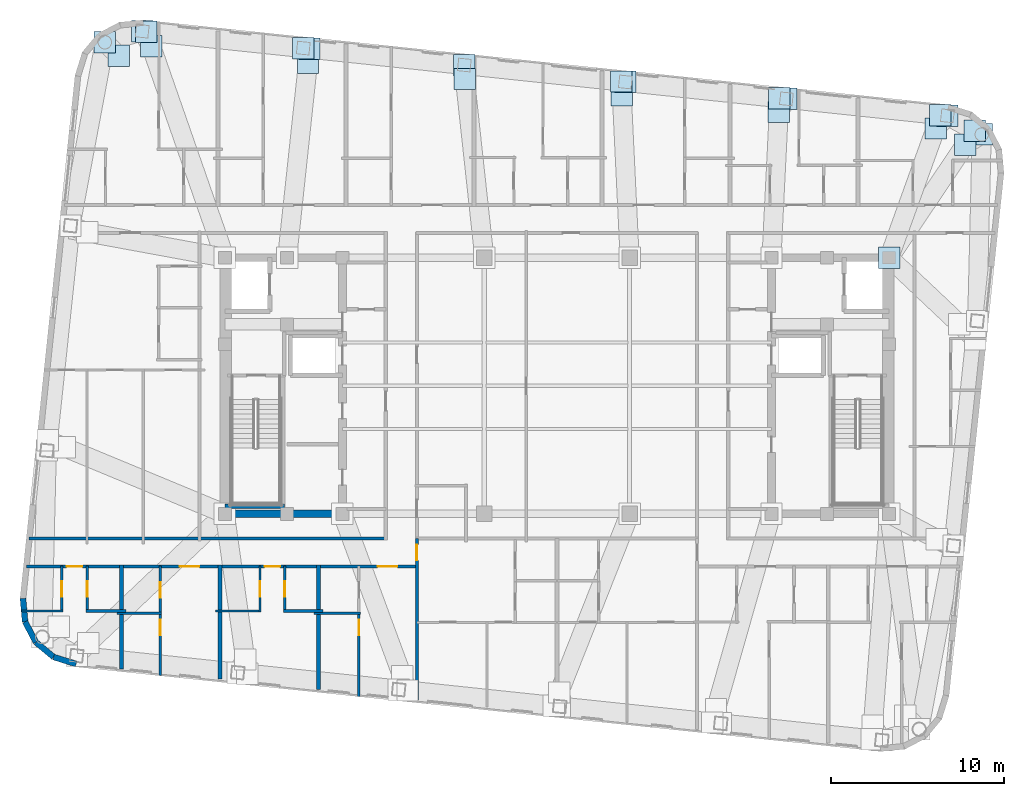
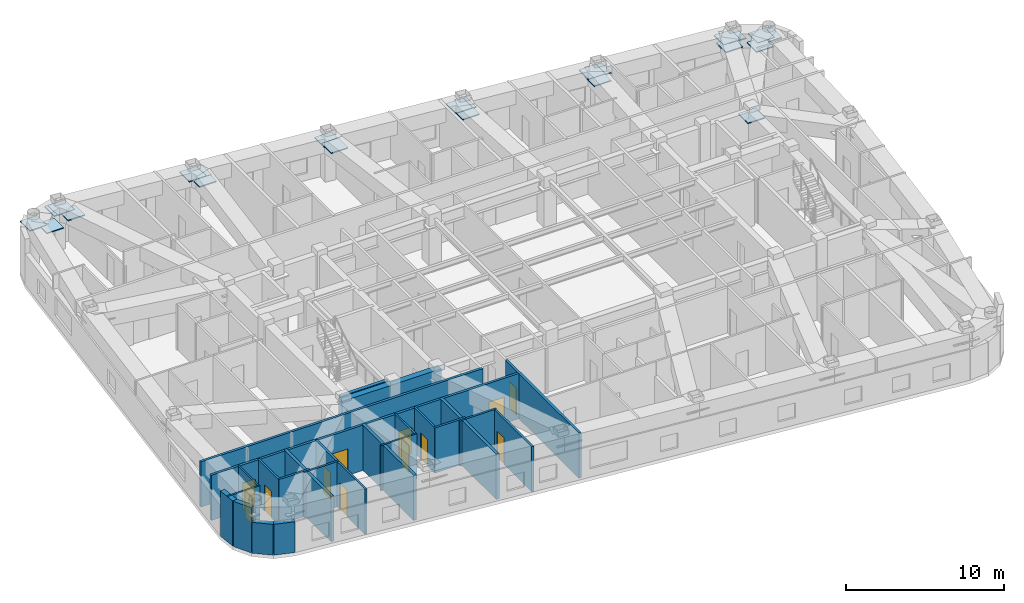
# One storey, part 3 of 12: 25 walls, 23 plates, 12 doors, 12 openings.
"""IFC4 building model written with IfcOpenShell, lengths in metres."""

from ifc_helpers import new_model, si_unit, direction, frame, frame_2d, origin, origin_2d, place, context, subcontext, project, spatial, rectangle, extrude, material, layer, layer_set, type_object, element, fill, save


model = new_model("IFC4")

# Units and contexts
model_context = context("Model", 3, precision=1e-05, world=origin(), true_north=direction((0.0, 1.0)))
body_context = subcontext(model_context, "Body", "Model", "MODEL_VIEW")
ifc_project = project(units=[si_unit("LENGTHUNIT", "METRE"), si_unit("AREAUNIT", "SQUARE_METRE"), si_unit("VOLUMEUNIT", "CUBIC_METRE"), si_unit("PLANEANGLEUNIT", "RADIAN"), si_unit("MASSUNIT", "GRAM", prefix="KILO")], contexts=[model_context])

# Site, building, storey
site_placement = place(None, origin())
site = spatial("IfcSite", under=ifc_project, at=site_placement, CompositionType="ELEMENT")
building_placement = place(site_placement, origin())
building = spatial("IfcBuilding", under=site, at=building_placement, Name="Voryun Gate Residences", CompositionType="ELEMENT")
storey_placement = place(building_placement, frame((0.0, 0.0, 306.800048828125)))
storey = spatial("IfcBuildingStorey", under=building, at=storey_placement, Name="L76", CompositionType="ELEMENT", Elevation=306.800048828125)

# Plates
ifc_material_1 = material(Name="Steel SM355", Category="steel")
ifc_layer_1 = layer(ifc_material_1, 0.02490234375, Name="PLT_END_CAP_25")
ifc_layer_set_1 = layer_set([ifc_layer_1], Name="Steel SM355")
plate_type = type_object("IfcPlateType", Name="PLT_END_CAP_25", PredefinedType="USERDEFINED", material=ifc_layer_set_1)
for number, where, z_axis, x_axis, name in (
    (1, (24.55322265625, 14.52734375, 2.909912109375), (0.0, 0.0, 1.0), (1.0, 0.0, 0.0), "L76 Hollow Member End-Cap Plate EC-838"),
    (2, (22.569091796875, 15.6044921875, 2.909912109375), (0.0, 0.0, 1.0), (1.0, 0.0, 0.0), "L76 Hollow Member End-Cap Plate EC-839"),
    (3, (13.26025390625, 16.5830078125, 2.909912109375), (0.0, 0.0, 1.0), (1.0, 0.0, 0.0), "L76 Hollow Member End-Cap Plate EC-840"),
    (4, (3.95166015625, 17.561279296875, 2.909912109375), (0.0, 0.0, 1.0), (1.0, 0.0, 0.0), "L76 Hollow Member End-Cap Plate EC-841"),
    (5, (-5.357177734375, 18.539794921875, 2.909912109375), (0.0, 0.0, 1.0), (1.0, 0.0, 0.0), "L76 Hollow Member End-Cap Plate EC-842"),
    (6, (-14.666015625, 19.51806640625, 2.909912109375), (0.0, 0.0, 1.0), (1.0, 0.0, 0.0), "L76 Hollow Member End-Cap Plate EC-843"),
    (7, (-23.974609375, 20.49658203125, 2.909912109375), (0.0, 0.0, 1.0), (1.0, 0.0, 0.0), "L76 Hollow Member End-Cap Plate EC-844"),
    (8, (-26.139404296875, 19.855224609375, 2.909912109375), (0.0, 0.0, 1.0), (1.0, 0.0, 0.0), "L76 Hollow Member End-Cap Plate EC-845"),
    (9, (19.199951171875, 7.39990234375, 2.909912109375), (0.0, 0.0, 1.0), (1.0, 0.0, 0.0), "L76 Hollow Member End-Cap Plate EC-867"),
    (10, (24.1474609375, 14.747802734375, 2.909912109375), (0.0, 0.0, 1.0), (1.0, 0.0, 0.0), "L76 Hollow Member End-Cap Plate EC-870"),
    (11, (23.603759765625, 13.9404296875, 2.909912109375), (0.0, 0.0, 1.0), (1.0, 0.0, 0.0), "L76 Hollow Member End-Cap Plate EC-871"),
    (12, (22.16748046875, 15.646728515625, 2.909912109375), (0.0, 0.0, 1.0), (1.0, 0.0, 0.0), "L76 Hollow Member End-Cap Plate EC-872"),
    (13, (21.888671875, 14.87158203125, 2.909912109375), (0.0, 0.0, 1.0), (1.0, 0.0, 0.0), "L76 Hollow Member End-Cap Plate EC-873"),
    (14, (12.8583984375, 16.625244140625, 2.909912109375), (0.0, 0.0, 1.0), (1.0, 0.0, 0.0), "L76 Hollow Member End-Cap Plate EC-875"),
    (15, (12.818603515625, 15.824951171875, 2.909912109375), (0.0, 0.0, 1.0), (1.0, 0.0, 0.0), "L76 Hollow Member End-Cap Plate EC-876"),
    (16, (3.709716796875, 17.5869140625, 2.909912109375), (0.0, 0.0, 1.0), (1.0, 0.0, 0.0), "L76 Hollow Member End-Cap Plate EC-878"),
    (17, (3.74853515625, 16.7783203125, 2.909912109375), (0.0, 0.0, 1.0), (1.0, 0.0, 0.0), "L76 Hollow Member End-Cap Plate EC-879"),
    (18, (-5.3212890625, 17.731689453125, 2.909912109375), (0.0, 0.0, 1.0), (1.0, 0.0, 0.0), "L76 Hollow Member End-Cap Plate EC-881"),
    (19, (-14.306396484375, 19.48046875, 2.909912109375), (0.0, 0.0, 1.0), (1.0, 0.0, 0.0), "L76 Hollow Member End-Cap Plate EC-883"),
    (20, (-14.3916015625, 18.684814453125, 2.909912109375), (0.0, 0.0, 1.0), (1.0, 0.0, 0.0), "L76 Hollow Member End-Cap Plate EC-884"),
    (21, (-23.752197265625, 20.47314453125, 2.909912109375), (0.0, 0.0, 1.0), (1.0, 0.0, 0.0), "L76 Hollow Member End-Cap Plate EC-886"),
    (22, (-23.46142578125, 19.63818359375, 2.909912109375), (0.0, 0.0, 1.0), (1.0, 0.0, 0.0), "L76 Hollow Member End-Cap Plate EC-887"),
    (23, (-25.332763671875, 19.083984375, 2.909912109375), (0.0, 0.0, 1.0), (1.0, 0.0, 0.0), "L76 Hollow Member End-Cap Plate EC-888"),
):
    element("IfcPlate", number, at=place(storey_placement, frame(where, z_axis=z_axis, x_axis=x_axis)), inside=storey, type_object=plate_type, Name=name, ObjectType="BASE_PLATE", PredefinedType="USERDEFINED", context=body_context, shape_type="SweptSolid", body=[
        extrude(rectangle(XDim=1.239990234375, YDim=1.239990234375, at=origin_2d()), origin(), (0.0, 0.0, 1.0), 0.080078125),
    ])

# Walls
ifc_material_2 = material(Name="Concrete C50/60", Category="concrete")
ifc_layer_2 = layer(ifc_material_2, 0.449951171875, Name="CW_CORE_450")
ifc_layer_set_2 = layer_set([ifc_layer_2], Name="Concrete C50/60")
wall_type_1 = type_object("IfcWallType", Name="CW_CORE_450", PredefinedType="SHEAR", material=ifc_layer_set_2)
wall_1_placement = place(storey_placement, frame((-19.425048828125, -7.39990234375, 0.0), z_axis=(0.0, 0.0, 1.0), x_axis=(1.0, 0.0, 0.0)))
element("IfcWall", 24, at=wall_1_placement, inside=storey, type_object=wall_type_1, Name="L76 Core shear wall CW-L76-WS", PredefinedType="SHEAR", context=body_context, shape_type="SweptSolid", body=[
    extrude(rectangle(XDim=7.25, YDim=0.449951171875, at=frame_2d((3.625, 0.0))), origin(), (0.0, 0.0, 1.0), 3.5),
])
ifc_material_3 = material(Name="Gypsum acoustic fireboard")
ifc_layer_3 = layer(ifc_material_3, 0.179931640625, Name="W_CORR_RATED_180")
ifc_layer_set_3 = layer_set([ifc_layer_3], Name="Gypsum acoustic fireboard")
wall_type_2 = type_object("IfcWallType", Name="W_CORR_RATED_180", PredefinedType="PARTITIONING", material=ifc_layer_set_3)
wall_2_placement = place(storey_placement, frame((-30.5068359375, -8.840087890625, 0.0), z_axis=(0.0, 0.0, 1.0), x_axis=(1.0, 0.0, 0.0)))
element("IfcWall", 25, at=wall_2_placement, inside=storey, type_object=wall_type_2, Name="Partition wall WP-L76-CWING-WS", PredefinedType="PARTITIONING", context=body_context, shape_type="SweptSolid", body=[
    extrude(rectangle(XDim=20.626953125, YDim=0.179931640625, at=frame_2d((10.3134765625, 0.0))), origin(), (0.0, 0.0, 1.0), 3.5),
])

# Wall, openings, doors
wall_3_placement = place(storey_placement, frame((-30.676025390625, -10.449951171875, 0.0), z_axis=(0.0, 0.0, 1.0), x_axis=(1.0, 0.0, 0.0)))
wall_3 = element("IfcWall", 26, at=wall_3_placement, inside=storey, type_object=wall_type_2, Name="Partition wall WP-L76-SCORR-W", PredefinedType="PARTITIONING", context=body_context, shape_type="SweptSolid", body=[
    extrude(rectangle(XDim=22.595947265625, YDim=0.179931640625, at=frame_2d((11.2978515625, 0.0))), origin(), (0.0, 0.0, 1.0), 3.5),
])
opening_1_placement = place(wall_3_placement, frame((2.336181640625, 0.0, 0.0)))
opening_1 = element("IfcOpeningElement", 27, at=opening_1_placement, cuts=wall_3, Name="Opening D-INT-2", PredefinedType="OPENING", context=body_context, shape_type="SweptSolid", body=[
    extrude(rectangle(XDim=0.89990234375, YDim=2.050048828125, at=frame_2d((0.449951171875, 1.02490234375))), frame((0.0, 0.099853515625, 0.0), z_axis=(0.0, -1.0, 0.0), x_axis=(1.0, 0.0, 0.0)), (0.0, 0.0, 1.0), 0.199951171875),
])
opening_2_placement = place(wall_3_placement, frame((8.861083984375, 0.0, 0.0)))
opening_2 = element("IfcOpeningElement", 28, at=opening_2_placement, cuts=wall_3, Name="Opening D-UNIT-1", PredefinedType="OPENING", context=body_context, shape_type="SweptSolid", body=[
    extrude(rectangle(XDim=1.14990234375, YDim=2.050048828125, at=frame_2d((0.574951171875, 1.02490234375))), frame((0.0, 0.099853515625, 0.0), z_axis=(0.0, -1.0, 0.0), x_axis=(1.0, 0.0, 0.0)), (0.0, 0.0, 1.0), 0.199951171875),
])
opening_3_placement = place(wall_3_placement, frame((13.774169921875, 0.0, 0.0)))
opening_3 = element("IfcOpeningElement", 29, at=opening_3_placement, cuts=wall_3, Name="Opening D-INT-2", PredefinedType="OPENING", context=body_context, shape_type="SweptSolid", body=[
    extrude(rectangle(XDim=0.89990234375, YDim=2.050048828125, at=frame_2d((0.449951171875, 1.02490234375))), frame((0.0, 0.099853515625, 0.0), z_axis=(0.0, -1.0, 0.0), x_axis=(1.0, 0.0, 0.0)), (0.0, 0.0, 1.0), 0.199951171875),
])
opening_4_placement = place(wall_3_placement, frame((20.30615234375, 0.0, 0.0)))
opening_4 = element("IfcOpeningElement", 30, at=opening_4_placement, cuts=wall_3, Name="Opening D-UNIT-1", PredefinedType="OPENING", context=body_context, shape_type="SweptSolid", body=[
    extrude(rectangle(XDim=1.14990234375, YDim=2.050048828125, at=frame_2d((0.574951171875, 1.02490234375))), frame((0.0, 0.099853515625, 0.0), z_axis=(0.0, -1.0, 0.0), x_axis=(1.0, 0.0, 0.0)), (0.0, 0.0, 1.0), 0.199951171875),
])
ifc_material_4 = material(Name="Architectural oak veneer")
door_type_1 = type_object("IfcDoorType", Name="DR_INT_BATH_900", OperationType="NOTDEFINED", PredefinedType="DOOR", material=ifc_material_4)
door_1_placement = place(opening_1_placement, origin())
door_1 = element("IfcDoor", 31, at=door_1_placement, inside=storey, type_object=door_type_1, Name="Door DR-L76-SENT-1", OperationType="SINGLE_SWING_RIGHT", OverallHeight=2.050048828125, OverallWidth=0.89990234375, PredefinedType="DOOR", context=body_context, shape_type="SweptSolid", body=[
    extrude(rectangle(XDim=0.89990234375, YDim=2.050048828125, at=frame_2d((0.449951171875, 1.02490234375))), frame((0.0, 0.02490234375, 0.0), z_axis=(0.0, -1.0, 0.0), x_axis=(1.0, 0.0, 0.0)), (0.0, 0.0, 1.0), 0.050048828125),
])
fill(opening_1, door_1)
door_2_placement = place(opening_3_placement, origin())
door_2 = element("IfcDoor", 32, at=door_2_placement, inside=storey, type_object=door_type_1, Name="Door DR-L76-SENT-3", OperationType="SINGLE_SWING_RIGHT", OverallHeight=2.050048828125, OverallWidth=0.89990234375, PredefinedType="DOOR", context=body_context, shape_type="SweptSolid", body=[
    extrude(rectangle(XDim=0.89990234375, YDim=2.050048828125, at=frame_2d((0.449951171875, 1.02490234375))), frame((0.0, 0.02490234375, 0.0), z_axis=(0.0, -1.0, 0.0), x_axis=(1.0, 0.0, 0.0)), (0.0, 0.0, 1.0), 0.050048828125),
])
fill(opening_3, door_2)
ifc_material_5 = material(Name="Armoured timber-clad fire door", Category="wood")
door_type_2 = type_object("IfcDoorType", Name="DR_UNIT_ENTRY_1150", OperationType="NOTDEFINED", PredefinedType="DOOR", material=ifc_material_5)
door_3_placement = place(opening_2_placement, origin())
door_3 = element("IfcDoor", 33, at=door_3_placement, inside=storey, type_object=door_type_2, Name="Door DR-L76-SENT-2", OperationType="SINGLE_SWING_LEFT", OverallHeight=2.050048828125, OverallWidth=1.14990234375, PredefinedType="DOOR", context=body_context, shape_type="SweptSolid", body=[
    extrude(rectangle(XDim=1.14990234375, YDim=2.050048828125, at=frame_2d((0.574951171875, 1.02490234375))), frame((0.0, 0.02490234375, 0.0), z_axis=(0.0, -1.0, 0.0), x_axis=(1.0, 0.0, 0.0)), (0.0, 0.0, 1.0), 0.050048828125),
])
fill(opening_2, door_3)
door_4_placement = place(opening_4_placement, origin())
door_4 = element("IfcDoor", 34, at=door_4_placement, inside=storey, type_object=door_type_2, Name="Door DR-L76-SENT-4", OperationType="SINGLE_SWING_LEFT", OverallHeight=2.050048828125, OverallWidth=1.14990234375, PredefinedType="DOOR", context=body_context, shape_type="SweptSolid", body=[
    extrude(rectangle(XDim=1.14990234375, YDim=2.050048828125, at=frame_2d((0.574951171875, 1.02490234375))), frame((0.0, 0.02490234375, 0.0), z_axis=(0.0, -1.0, 0.0), x_axis=(1.0, 0.0, 0.0)), (0.0, 0.0, 1.0), 0.050048828125),
])
fill(opening_4, door_4)

# Wall, opening, door
wall_4_placement = place(storey_placement, frame((-8.10009765625, -18.154541015625, 0.0), z_axis=(0.0, 0.0, 1.0), x_axis=(0.0, 1.0, 0.0)))
wall_4 = element("IfcWall", 35, at=wall_4_placement, inside=storey, type_object=wall_type_2, Name="Partition wall WP-L76-SZV-1", PredefinedType="PARTITIONING", context=body_context, shape_type="SweptSolid", body=[
    extrude(rectangle(XDim=9.314453125, YDim=0.179931640625, at=frame_2d((4.6572265625, 0.0))), origin(), (0.0, 0.0, 1.0), 3.5),
])
opening_5_placement = place(wall_4_placement, frame((8.064453125, 0.0, 0.0)))
opening_5 = element("IfcOpeningElement", 36, at=opening_5_placement, cuts=wall_4, Name="Opening D-INT-2", PredefinedType="OPENING", context=body_context, shape_type="SweptSolid", body=[
    extrude(rectangle(XDim=0.89990234375, YDim=2.050048828125, at=frame_2d((0.449951171875, 1.02490234375))), frame((0.0, 0.099853515625, 0.0), z_axis=(0.0, -1.0, 0.0), x_axis=(1.0, 0.0, 0.0)), (0.0, 0.0, 1.0), 0.199951171875),
])
door_5_placement = place(opening_5_placement, origin())
door_5 = element("IfcDoor", 37, at=door_5_placement, inside=storey, type_object=door_type_1, Name="Door DR-L76-SZENT-1", OperationType="SINGLE_SWING_LEFT", OverallHeight=2.050048828125, OverallWidth=0.89990234375, PredefinedType="DOOR", context=body_context, shape_type="SweptSolid", body=[
    extrude(rectangle(XDim=0.89990234375, YDim=2.050048828125, at=frame_2d((0.449951171875, 1.02490234375))), frame((0.0, 0.02490234375, 0.0), z_axis=(0.0, -1.0, 0.0), x_axis=(1.0, 0.0, 0.0)), (0.0, 0.0, 1.0), 0.050048828125),
])
fill(opening_5, door_5)

# Walls
ifc_material_6 = material(Name="Charcoal terracotta masonry", Category="masonry")
ifc_layer_4 = layer(ifc_material_6, 0.340087890625, Name="W_EXT_TERRACOTTA_340")
ifc_layer_set_4 = layer_set([ifc_layer_4], Name="Charcoal terracotta masonry")
wall_type_3 = type_object("IfcWallType", Name="W_EXT_TERRACOTTA_340", PredefinedType="ELEMENTEDWALL", material=ifc_layer_set_4)
wall_5_placement = place(storey_placement, frame((-27.802490234375, -16.083740234375, 0.0), z_axis=(0.0, 0.0, 1.0), x_axis=(-0.955007802701, 0.296580674994, 0.0)))
element("IfcWall", 38, at=wall_5_placement, inside=storey, type_object=wall_type_3, Name="Exterior wall WEXT-L76-02", PredefinedType="ELEMENTEDWALL", context=body_context, shape_type="SweptSolid", body=[
    extrude(rectangle(XDim=1.354248046875, YDim=0.340087890625, at=frame_2d((0.67724609375, 0.0))), origin(), (0.0, 0.0, 1.0), 2.389892578125),
])
wall_6_placement = place(storey_placement, frame((-29.095703125, -15.68212890625, 0.0), z_axis=(0.0, 0.0, 1.0), x_axis=(-0.768864427906, 0.639411832469, 0.0)))
element("IfcWall", 39, at=wall_6_placement, inside=storey, type_object=wall_type_3, Name="Exterior wall WEXT-L76-03", PredefinedType="ELEMENTEDWALL", context=body_context, shape_type="SweptSolid", body=[
    extrude(rectangle(XDim=1.337158203125, YDim=0.340087890625, at=frame_2d((0.66845703125, 0.0))), origin(), (0.0, 0.0, 1.0), 2.389892578125),
])
wall_7_placement = place(storey_placement, frame((-30.123779296875, -14.8271484375, 0.0), z_axis=(0.0, 0.0, 1.0), x_axis=(-0.465528132217, 0.885033083062, 0.0)))
element("IfcWall", 40, at=wall_7_placement, inside=storey, type_object=wall_type_3, Name="Exterior wall WEXT-L76-04", PredefinedType="ELEMENTEDWALL", context=body_context, shape_type="SweptSolid", body=[
    extrude(rectangle(XDim=1.3369140625, YDim=0.340087890625, at=frame_2d((0.66845703125, 0.0))), origin(), (0.0, 0.0, 1.0), 3.5),
])
wall_8_placement = place(storey_placement, frame((-30.74609375, -13.64404296875, 0.0), z_axis=(0.0, 0.0, 1.0), x_axis=(-0.091592370975, 0.995796584438, 0.0)))
element("IfcWall", 41, at=wall_8_placement, inside=storey, type_object=wall_type_3, Name="Exterior wall WEXT-L76-05", PredefinedType="ELEMENTEDWALL", context=body_context, shape_type="SweptSolid", body=[
    extrude(rectangle(XDim=1.35400390625, YDim=0.340087890625, at=frame_2d((0.677001953125, 0.0))), origin(), (0.0, 0.0, 1.0), 3.5),
])
ifc_material_7 = material(Name="Concrete C40/50", Category="concrete")
ifc_layer_5 = layer(ifc_material_7, 0.219970703125, Name="W_PARTY_ACOUSTIC_220")
ifc_layer_set_5 = layer_set([ifc_layer_5], Name="Concrete C40/50")
wall_type_4 = type_object("IfcWallType", Name="W_PARTY_ACOUSTIC_220", PredefinedType="PARTITIONING", material=ifc_layer_set_5)
wall_9_placement = place(storey_placement, frame((-25.177978515625, -16.359619140625, 0.0), z_axis=(0.0, 0.0, 1.0), x_axis=(0.0, 1.0, 0.0)))
element("IfcWall", 42, at=wall_9_placement, inside=storey, type_object=wall_type_4, Name="Partition wall WP-L76-SPTY-1", PredefinedType="PARTITIONING", context=body_context, shape_type="SweptSolid", body=[
    extrude(rectangle(XDim=5.989501953125, YDim=0.219970703125, at=frame_2d((2.99462890625, 0.0))), origin(), (0.0, 0.0, 1.0), 3.5),
])
wall_10_placement = place(storey_placement, frame((-19.47802734375, -16.958740234375, 0.0), z_axis=(0.0, 0.0, 1.0), x_axis=(0.0, 1.0, 0.0)))
element("IfcWall", 43, at=wall_10_placement, inside=storey, type_object=wall_type_4, Name="Partition wall WP-L76-SPTY-2", PredefinedType="PARTITIONING", context=body_context, shape_type="SweptSolid", body=[
    extrude(rectangle(XDim=6.588623046875, YDim=0.219970703125, at=frame_2d((3.29443359375, 0.0))), origin(), (0.0, 0.0, 1.0), 3.5),
])
wall_11_placement = place(storey_placement, frame((-13.779052734375, -17.5576171875, 0.0), z_axis=(0.0, 0.0, 1.0), x_axis=(0.0, 1.0, 0.0)))
element("IfcWall", 44, at=wall_11_placement, inside=storey, type_object=wall_type_4, Name="Partition wall WP-L76-SPTY-3", PredefinedType="PARTITIONING", context=body_context, shape_type="SweptSolid", body=[
    extrude(rectangle(XDim=7.1875, YDim=0.219970703125, at=frame_2d((3.59375, 0.0))), origin(), (0.0, 0.0, 1.0), 3.5),
])
ifc_material_8 = material(Name="Concrete C50/60", Category="concrete")
ifc_layer_6 = layer(ifc_material_8, 0.25, Name="W_SHAFT_RC250")
ifc_layer_set_6 = layer_set([ifc_layer_6], Name="Concrete C50/60")
wall_type_5 = type_object("IfcWallType", Name="W_SHAFT_RC250", PredefinedType="SOLIDWALL", material=ifc_layer_set_6)
wall_12_placement = place(storey_placement, frame((-19.199951171875, -6.965087890625, 0.0), z_axis=(0.0, 0.0, 1.0), x_axis=(1.0, 0.0, 0.0)))
element("IfcWall", 45, at=wall_12_placement, inside=storey, type_object=wall_type_5, Name="L76 Stair shaft structural wall W-STS", PredefinedType="SOLIDWALL", context=body_context, shape_type="SweptSolid", body=[
    extrude(rectangle(XDim=3.4599609375, YDim=0.25, at=frame_2d((1.72998046875, 0.0))), origin(), (0.0, 0.0, 1.0), 3.5),
])

# Wall, opening, door
ifc_material_9 = material(Name="Gypsum acoustic partition")
ifc_layer_7 = layer(ifc_material_9, 0.125, Name="W_UNIT_PART_125")
ifc_layer_set_7 = layer_set([ifc_layer_7], Name="Gypsum acoustic partition")
wall_type_6 = type_object("IfcWallType", Name="W_UNIT_PART_125", PredefinedType="PARTITIONING", material=ifc_layer_set_7)
wall_13_placement = place(storey_placement, frame((-28.626953125, -13.080078125, 0.0), z_axis=(0.0, 0.0, 1.0), x_axis=(0.0, 1.0, 0.0)))
wall_13 = element("IfcWall", 46, at=wall_13_placement, inside=storey, type_object=wall_type_6, Name="Partition wall WP-L76-S1-CVK", PredefinedType="PARTITIONING", context=body_context, shape_type="SweptSolid", body=[
    extrude(rectangle(XDim=2.650146484375, YDim=0.125, at=frame_2d((1.3251953125, 0.0))), origin(), (0.0, 0.0, 1.0), 3.5),
])
opening_6_placement = place(wall_13_placement, frame((0.875, 0.0, 0.0)))
opening_6 = element("IfcOpeningElement", 47, at=opening_6_placement, cuts=wall_13, Name="Opening D-INT-2", PredefinedType="OPENING", context=body_context, shape_type="SweptSolid", body=[
    extrude(rectangle(XDim=0.89990234375, YDim=2.050048828125, at=frame_2d((0.449951171875, 1.02490234375))), frame((0.0, 0.072509765625, 0.0), z_axis=(0.0, -1.0, 0.0), x_axis=(1.0, 0.0, 0.0)), (0.0, 0.0, 1.0), 0.14501953125),
])
door_6_placement = place(opening_6_placement, origin())
door_6 = element("IfcDoor", 48, at=door_6_placement, inside=storey, type_object=door_type_1, Name="Door DR-L76-S1-DK", OperationType="SINGLE_SWING_LEFT", OverallHeight=2.050048828125, OverallWidth=0.89990234375, PredefinedType="DOOR", context=body_context, shape_type="SweptSolid", body=[
    extrude(rectangle(XDim=0.89990234375, YDim=2.050048828125, at=frame_2d((0.449951171875, 1.02490234375))), frame((0.0, 0.02490234375, 0.0), z_axis=(0.0, -1.0, 0.0), x_axis=(1.0, 0.0, 0.0)), (0.0, 0.0, 1.0), 0.050048828125),
])
fill(opening_6, door_6)

# Wall
wall_14_placement = place(storey_placement, frame((-30.9541015625, -13.02001953125, 0.0), z_axis=(0.0, 0.0, 1.0), x_axis=(1.0, 0.0, 0.0)))
element("IfcWall", 49, at=wall_14_placement, inside=storey, type_object=wall_type_6, Name="Partition wall WP-L76-S1-CHK", PredefinedType="PARTITIONING", context=body_context, shape_type="SweptSolid", body=[
    extrude(rectangle(XDim=2.38720703125, YDim=0.125, at=frame_2d((1.193603515625, 0.0))), origin(), (0.0, 0.0, 1.0), 3.5),
])

# Wall, opening, door
wall_15_placement = place(storey_placement, frame((-17.16796875, -13.080078125, 0.0), z_axis=(0.0, 0.0, 1.0), x_axis=(0.0, 1.0, 0.0)))
wall_15 = element("IfcWall", 50, at=wall_15_placement, inside=storey, type_object=wall_type_6, Name="Partition wall WP-L76-S3-CVK", PredefinedType="PARTITIONING", context=body_context, shape_type="SweptSolid", body=[
    extrude(rectangle(XDim=2.650146484375, YDim=0.125, at=frame_2d((1.3251953125, 0.0))), origin(), (0.0, 0.0, 1.0), 3.5),
])
opening_7_placement = place(wall_15_placement, frame((0.875, 0.0, 0.0)))
opening_7 = element("IfcOpeningElement", 51, at=opening_7_placement, cuts=wall_15, Name="Opening D-INT-2", PredefinedType="OPENING", context=body_context, shape_type="SweptSolid", body=[
    extrude(rectangle(XDim=0.89990234375, YDim=2.050048828125, at=frame_2d((0.449951171875, 1.02490234375))), frame((0.0, 0.072509765625, 0.0), z_axis=(0.0, -1.0, 0.0), x_axis=(1.0, 0.0, 0.0)), (0.0, 0.0, 1.0), 0.14501953125),
])
door_7_placement = place(opening_7_placement, origin())
door_7 = element("IfcDoor", 52, at=door_7_placement, inside=storey, type_object=door_type_1, Name="Door DR-L76-S3-DK", OperationType="SINGLE_SWING_LEFT", OverallHeight=2.050048828125, OverallWidth=0.89990234375, PredefinedType="DOOR", context=body_context, shape_type="SweptSolid", body=[
    extrude(rectangle(XDim=0.89990234375, YDim=2.050048828125, at=frame_2d((0.449951171875, 1.02490234375))), frame((0.0, 0.02490234375, 0.0), z_axis=(0.0, -1.0, 0.0), x_axis=(1.0, 0.0, 0.0)), (0.0, 0.0, 1.0), 0.050048828125),
])
fill(opening_7, door_7)

# Wall
wall_16_placement = place(storey_placement, frame((-19.738037109375, -13.02001953125, 0.0), z_axis=(0.0, 0.0, 1.0), x_axis=(1.0, 0.0, 0.0)))
element("IfcWall", 53, at=wall_16_placement, inside=storey, type_object=wall_type_6, Name="Partition wall WP-L76-S3-CHK", PredefinedType="PARTITIONING", context=body_context, shape_type="SweptSolid", body=[
    extrude(rectangle(XDim=2.630126953125, YDim=0.125, at=frame_2d((1.31494140625, 0.0))), origin(), (0.0, 0.0, 1.0), 3.5),
])

# Wall, opening, door
ifc_material_10 = material(Name="Gypsum moisture-resistant partition")
ifc_layer_8 = layer(ifc_material_10, 0.14990234375, Name="W_WET_PLUMB_150")
ifc_layer_set_8 = layer_set([ifc_layer_8], Name="Gypsum moisture-resistant partition")
wall_type_7 = type_object("IfcWallType", Name="W_WET_PLUMB_150", PredefinedType="PLUMBINGWALL", material=ifc_layer_set_8)
wall_17_placement = place(storey_placement, frame((-27.155029296875, -13.080078125, 0.0), z_axis=(0.0, 0.0, 1.0), x_axis=(0.0, 1.0, 0.0)))
wall_17 = element("IfcWall", 54, at=wall_17_placement, inside=storey, type_object=wall_type_7, Name="Partition wall WP-L76-S1-CVB", PredefinedType="PLUMBINGWALL", context=body_context, shape_type="SweptSolid", body=[
    extrude(rectangle(XDim=2.650146484375, YDim=0.14990234375, at=frame_2d((1.3251953125, 0.0))), origin(), (0.0, 0.0, 1.0), 3.5),
])
opening_8_placement = place(wall_17_placement, frame((0.875, 0.0, 0.0)))
opening_8 = element("IfcOpeningElement", 55, at=opening_8_placement, cuts=wall_17, Name="Opening D-INT-2", PredefinedType="OPENING", context=body_context, shape_type="SweptSolid", body=[
    extrude(rectangle(XDim=0.89990234375, YDim=2.050048828125, at=frame_2d((0.449951171875, 1.02490234375))), frame((0.0, 0.0849609375, 0.0), z_axis=(0.0, -1.0, 0.0), x_axis=(1.0, 0.0, 0.0)), (0.0, 0.0, 1.0), 0.169921875),
])
door_8_placement = place(opening_8_placement, origin())
door_8 = element("IfcDoor", 56, at=door_8_placement, inside=storey, type_object=door_type_1, Name="Door DR-L76-S1-DB", OperationType="SINGLE_SWING_RIGHT", OverallHeight=2.050048828125, OverallWidth=0.89990234375, PredefinedType="DOOR", context=body_context, shape_type="SweptSolid", body=[
    extrude(rectangle(XDim=0.89990234375, YDim=2.050048828125, at=frame_2d((0.449951171875, 1.02490234375))), frame((0.0, 0.02490234375, 0.0), z_axis=(0.0, -1.0, 0.0), x_axis=(1.0, 0.0, 0.0)), (0.0, 0.0, 1.0), 0.050048828125),
])
fill(opening_8, door_8)

# Walls
wall_18_placement = place(storey_placement, frame((-27.215087890625, -13.02001953125, 0.0), z_axis=(0.0, 0.0, 1.0), x_axis=(1.0, 0.0, 0.0)))
element("IfcWall", 57, at=wall_18_placement, inside=storey, type_object=wall_type_7, Name="Partition wall WP-L76-S1-CHB", PredefinedType="PLUMBINGWALL", context=body_context, shape_type="SweptSolid", body=[
    extrude(rectangle(XDim=2.297119140625, YDim=0.14990234375, at=frame_2d((1.1484375, 0.0))), origin(), (0.0, 0.0, 1.0), 3.5),
])
wall_19_placement = place(storey_placement, frame((-25.43798828125, -13.14990234375, 0.0), z_axis=(0.0, 0.0, 1.0), x_axis=(1.0, 0.0, 0.0)))
element("IfcWall", 58, at=wall_19_placement, inside=storey, type_object=wall_type_7, Name="Partition wall WP-L76-S2-SKB", PredefinedType="PLUMBINGWALL", context=body_context, shape_type="SweptSolid", body=[
    extrude(rectangle(XDim=2.575927734375, YDim=0.14990234375, at=frame_2d((1.2880859375, 0.0))), origin(), (0.0, 0.0, 1.0), 3.5),
])

# Wall, opening, door
wall_20_placement = place(storey_placement, frame((-22.94189453125, -16.745361328125, 0.0), z_axis=(0.0, 0.0, 1.0), x_axis=(0.0, 1.0, 0.0)))
wall_20 = element("IfcWall", 59, at=wall_20_placement, inside=storey, type_object=wall_type_7, Name="Partition wall WP-L76-S2-SVT1", PredefinedType="PLUMBINGWALL", context=body_context, shape_type="SweptSolid", body=[
    extrude(rectangle(XDim=3.63525390625, YDim=0.14990234375, at=frame_2d((1.817626953125, 0.0))), origin(), (0.0, 0.0, 1.0), 3.5),
])
opening_9_placement = place(wall_20_placement, frame((2.31103515625, 0.0, 0.0)))
opening_9 = element("IfcOpeningElement", 60, at=opening_9_placement, cuts=wall_20, Name="Opening D-INT-2", PredefinedType="OPENING", context=body_context, shape_type="SweptSolid", body=[
    extrude(rectangle(XDim=0.89990234375, YDim=2.050048828125, at=frame_2d((0.449951171875, 1.02490234375))), frame((0.0, 0.0849609375, 0.0), z_axis=(0.0, -1.0, 0.0), x_axis=(1.0, 0.0, 0.0)), (0.0, 0.0, 1.0), 0.169921875),
])
door_9_placement = place(opening_9_placement, origin())
door_9 = element("IfcDoor", 61, at=door_9_placement, inside=storey, type_object=door_type_1, Name="Door DR-L76-S2-DK", OperationType="SINGLE_SWING_LEFT", OverallHeight=2.050048828125, OverallWidth=0.89990234375, PredefinedType="DOOR", context=body_context, shape_type="SweptSolid", body=[
    extrude(rectangle(XDim=0.89990234375, YDim=2.050048828125, at=frame_2d((0.449951171875, 1.02490234375))), frame((0.0, 0.02490234375, 0.0), z_axis=(0.0, -1.0, 0.0), x_axis=(1.0, 0.0, 0.0)), (0.0, 0.0, 1.0), 0.050048828125),
])
fill(opening_9, door_9)

wall_21_placement = place(storey_placement, frame((-22.94189453125, -13.18994140625, 0.0), z_axis=(0.0, 0.0, 1.0), x_axis=(0.0, 1.0, 0.0)))
wall_21 = element("IfcWall", 62, at=wall_21_placement, inside=storey, type_object=wall_type_7, Name="Partition wall WP-L76-S2-SVT2", PredefinedType="PLUMBINGWALL", context=body_context, shape_type="SweptSolid", body=[
    extrude(rectangle(XDim=2.760009765625, YDim=0.14990234375, at=frame_2d((1.3798828125, 0.0))), origin(), (0.0, 0.0, 1.0), 3.5),
])
opening_10_placement = place(wall_21_placement, frame((0.929931640625, 0.0, 0.0)))
opening_10 = element("IfcOpeningElement", 63, at=opening_10_placement, cuts=wall_21, Name="Opening D-INT-2", PredefinedType="OPENING", context=body_context, shape_type="SweptSolid", body=[
    extrude(rectangle(XDim=0.89990234375, YDim=2.050048828125, at=frame_2d((0.449951171875, 1.02490234375))), frame((0.0, 0.0849609375, 0.0), z_axis=(0.0, -1.0, 0.0), x_axis=(1.0, 0.0, 0.0)), (0.0, 0.0, 1.0), 0.169921875),
])
door_10_placement = place(opening_10_placement, origin())
door_10 = element("IfcDoor", 64, at=door_10_placement, inside=storey, type_object=door_type_1, Name="Door DR-L76-S2-DB", OperationType="SINGLE_SWING_RIGHT", OverallHeight=2.050048828125, OverallWidth=0.89990234375, PredefinedType="DOOR", context=body_context, shape_type="SweptSolid", body=[
    extrude(rectangle(XDim=0.89990234375, YDim=2.050048828125, at=frame_2d((0.449951171875, 1.02490234375))), frame((0.0, 0.02490234375, 0.0), z_axis=(0.0, -1.0, 0.0), x_axis=(1.0, 0.0, 0.0)), (0.0, 0.0, 1.0), 0.050048828125),
])
fill(opening_10, door_10)

wall_22_placement = place(storey_placement, frame((-15.736083984375, -13.080078125, 0.0), z_axis=(0.0, 0.0, 1.0), x_axis=(0.0, 1.0, 0.0)))
wall_22 = element("IfcWall", 65, at=wall_22_placement, inside=storey, type_object=wall_type_7, Name="Partition wall WP-L76-S3-CVB", PredefinedType="PLUMBINGWALL", context=body_context, shape_type="SweptSolid", body=[
    extrude(rectangle(XDim=2.650146484375, YDim=0.14990234375, at=frame_2d((1.3251953125, 0.0))), origin(), (0.0, 0.0, 1.0), 3.5),
])
opening_11_placement = place(wall_22_placement, frame((0.875, 0.0, 0.0)))
opening_11 = element("IfcOpeningElement", 66, at=opening_11_placement, cuts=wall_22, Name="Opening D-INT-2", PredefinedType="OPENING", context=body_context, shape_type="SweptSolid", body=[
    extrude(rectangle(XDim=0.89990234375, YDim=2.050048828125, at=frame_2d((0.449951171875, 1.02490234375))), frame((0.0, 0.0849609375, 0.0), z_axis=(0.0, -1.0, 0.0), x_axis=(1.0, 0.0, 0.0)), (0.0, 0.0, 1.0), 0.169921875),
])
door_11_placement = place(opening_11_placement, origin())
door_11 = element("IfcDoor", 67, at=door_11_placement, inside=storey, type_object=door_type_1, Name="Door DR-L76-S3-DB", OperationType="SINGLE_SWING_RIGHT", OverallHeight=2.050048828125, OverallWidth=0.89990234375, PredefinedType="DOOR", context=body_context, shape_type="SweptSolid", body=[
    extrude(rectangle(XDim=0.89990234375, YDim=2.050048828125, at=frame_2d((0.449951171875, 1.02490234375))), frame((0.0, 0.02490234375, 0.0), z_axis=(0.0, -1.0, 0.0), x_axis=(1.0, 0.0, 0.0)), (0.0, 0.0, 1.0), 0.050048828125),
])
fill(opening_11, door_11)

# Walls
wall_23_placement = place(storey_placement, frame((-15.7958984375, -13.02001953125, 0.0), z_axis=(0.0, 0.0, 1.0), x_axis=(1.0, 0.0, 0.0)))
element("IfcWall", 68, at=wall_23_placement, inside=storey, type_object=wall_type_7, Name="Partition wall WP-L76-S3-CHB", PredefinedType="PLUMBINGWALL", context=body_context, shape_type="SweptSolid", body=[
    extrude(rectangle(XDim=2.27685546875, YDim=0.14990234375, at=frame_2d((1.138427734375, 0.0))), origin(), (0.0, 0.0, 1.0), 3.5),
])
wall_24_placement = place(storey_placement, frame((-14.0390625, -13.14990234375, 0.0), z_axis=(0.0, 0.0, 1.0), x_axis=(1.0, 0.0, 0.0)))
element("IfcWall", 69, at=wall_24_placement, inside=storey, type_object=wall_type_7, Name="Partition wall WP-L76-S4-SKB", PredefinedType="PLUMBINGWALL", context=body_context, shape_type="SweptSolid", body=[
    extrude(rectangle(XDim=2.671142578125, YDim=0.14990234375, at=frame_2d((1.33544921875, 0.0))), origin(), (0.0, 0.0, 1.0), 3.5),
])

# Wall, opening, door
wall_25_placement = place(storey_placement, frame((-11.447998046875, -17.95361328125, 0.0), z_axis=(0.0, 0.0, 1.0), x_axis=(0.0, 1.0, 0.0)))
wall_25 = element("IfcWall", 70, at=wall_25_placement, inside=storey, type_object=wall_type_7, Name="Partition wall WP-L76-S4-SVT1", PredefinedType="PLUMBINGWALL", context=body_context, shape_type="SweptSolid", body=[
    extrude(rectangle(XDim=4.843505859375, YDim=0.14990234375, at=frame_2d((2.421875, 0.0))), origin(), (0.0, 0.0, 1.0), 3.5),
])
opening_12_placement = place(wall_25_placement, frame((3.521728515625, 0.0, 0.0)))
opening_12 = element("IfcOpeningElement", 71, at=opening_12_placement, cuts=wall_25, Name="Opening D-INT-2", PredefinedType="OPENING", context=body_context, shape_type="SweptSolid", body=[
    extrude(rectangle(XDim=0.89990234375, YDim=2.050048828125, at=frame_2d((0.449951171875, 1.02490234375))), frame((0.0, 0.0849609375, 0.0), z_axis=(0.0, -1.0, 0.0), x_axis=(1.0, 0.0, 0.0)), (0.0, 0.0, 1.0), 0.169921875),
])
door_12_placement = place(opening_12_placement, origin())
door_12 = element("IfcDoor", 72, at=door_12_placement, inside=storey, type_object=door_type_1, Name="Door DR-L76-S4-DK", OperationType="SINGLE_SWING_LEFT", OverallHeight=2.050048828125, OverallWidth=0.89990234375, PredefinedType="DOOR", context=body_context, shape_type="SweptSolid", body=[
    extrude(rectangle(XDim=0.89990234375, YDim=2.050048828125, at=frame_2d((0.449951171875, 1.02490234375))), frame((0.0, 0.02490234375, 0.0), z_axis=(0.0, -1.0, 0.0), x_axis=(1.0, 0.0, 0.0)), (0.0, 0.0, 1.0), 0.050048828125),
])
fill(opening_12, door_12)

save(model, "model.ifc")
